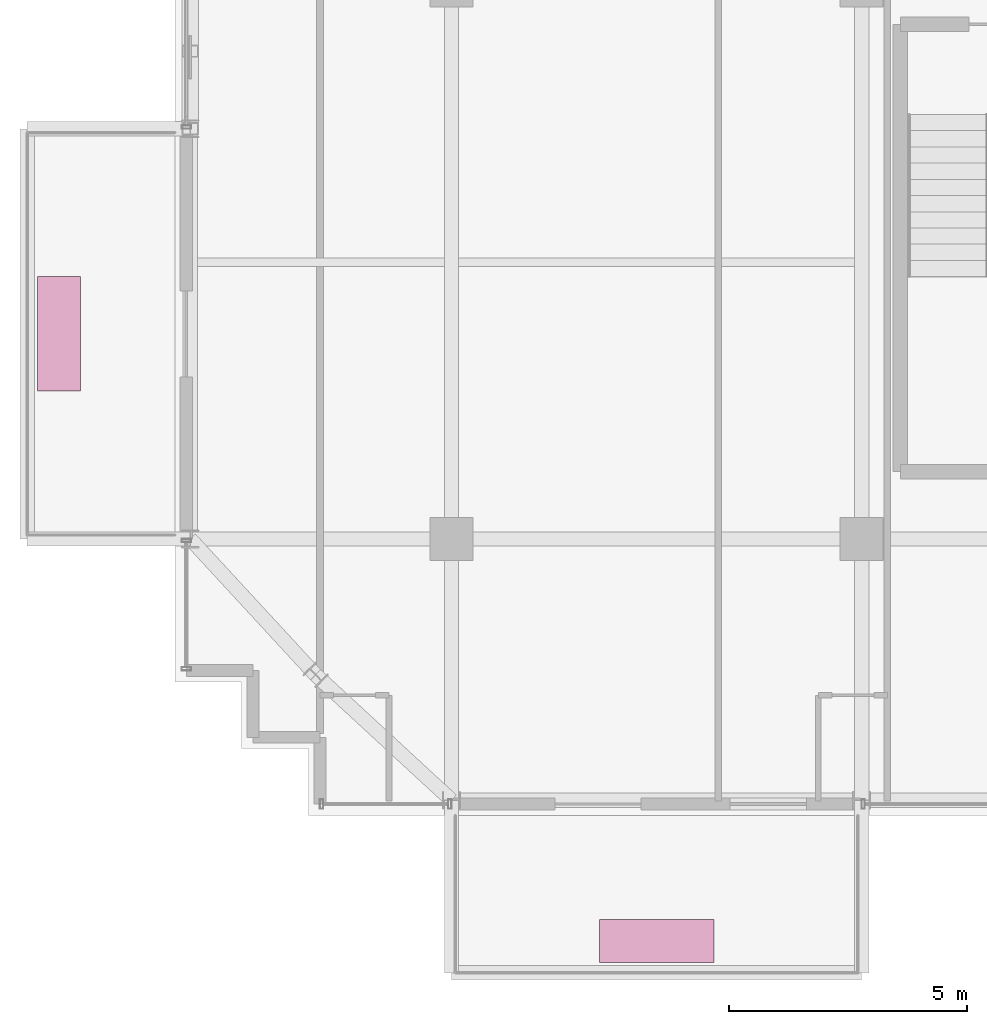
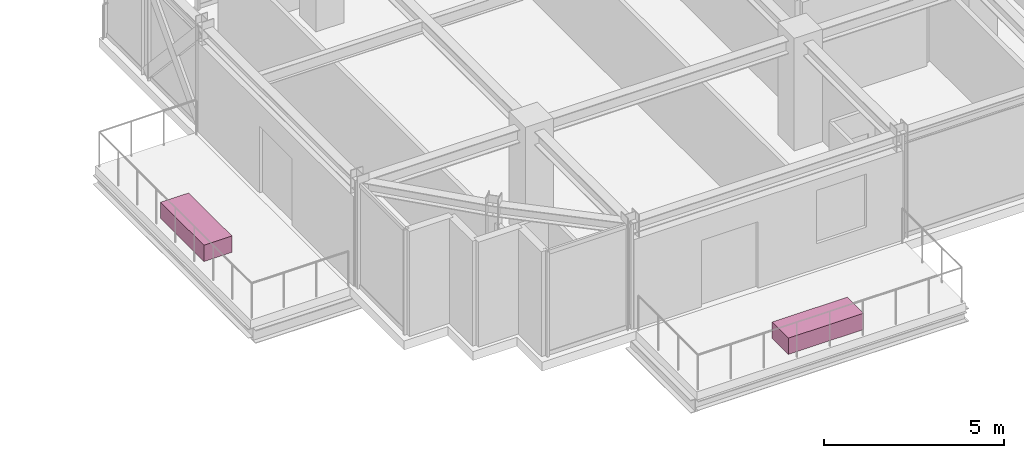
# One storey, part 37 of 37: 2 furnishings.
"""IFC4 building model written with IfcOpenShell, lengths in metres."""

from ifc_helpers import new_model, si_unit, direction, frame, origin, origin_2d, place, context, subcontext, project, spatial, rectangle, extrude, source, transform, mapped, material, type_object, element, save


model = new_model("IFC4")

# Units and contexts
model_context = context("Model", 3, precision=1e-05, world=origin(), true_north=direction((0.0, 1.0)))
body_context = subcontext(model_context, "Body", "Model", "MODEL_VIEW")
ifc_project = project(units=[si_unit("LENGTHUNIT", "METRE"), si_unit("AREAUNIT", "SQUARE_METRE"), si_unit("VOLUMEUNIT", "CUBIC_METRE"), si_unit("PLANEANGLEUNIT", "RADIAN"), si_unit("MASSUNIT", "GRAM", prefix="KILO")], contexts=[model_context])

# Site, building, storey
site_placement = place(None, origin())
site = spatial("IfcSite", under=ifc_project, at=site_placement, CompositionType="ELEMENT")
building_placement = place(site_placement, origin())
building = spatial("IfcBuilding", under=site, at=building_placement, Name="Nahalor Promenade Grand Hotel", CompositionType="ELEMENT")
storey_placement = place(building_placement, frame((0.0, 0.0, 292.64990234375)))
storey = spatial("IfcBuildingStorey", under=building, at=storey_placement, Name="L75", CompositionType="ELEMENT", Elevation=292.64990234375)

# Furnishings
ifc_material = material(Name="Vegetated Volcanic-Lapilli Tree Planter", Category="earth")
furnishing_element_type = type_object("IfcFurnishingElementType", Name="Planter-VerticalForest-Box", material=ifc_material)
shared_shape = source(origin(), body_context, "Body", "SweptSolid", [
    extrude(rectangle(XDim=2.39990234375, YDim=0.89990234375, at=origin_2d()), origin(), (0.0, 0.0, 1.0), 0.550048828125),
])
for number, where, z_axis, x_axis, name in (
    (1, (-12.699951171875, -25.429931640625, 0.0), (0.0, 0.0, 1.0), (1.0, 0.0, 0.0), "L75 Balcony Structural Tree Planter 1"),
    (2, (-25.22998046875, -12.699951171875, 0.0), (0.0, 0.0, 1.0), (0.0, 1.0, 0.0), "L75 Balcony Structural Tree Planter 2"),
):
    element("IfcFurnishingElement", number, at=place(storey_placement, frame(where, z_axis=z_axis, x_axis=x_axis)), inside=storey, type_object=furnishing_element_type, Name=name, ObjectType="PLANTER", context=body_context, shape_type="MappedRepresentation", body=[
        mapped(shared_shape, transform((0.0, 0.0, 0.0), scale=1.0)),
    ])

save(model, "model.ifc")
